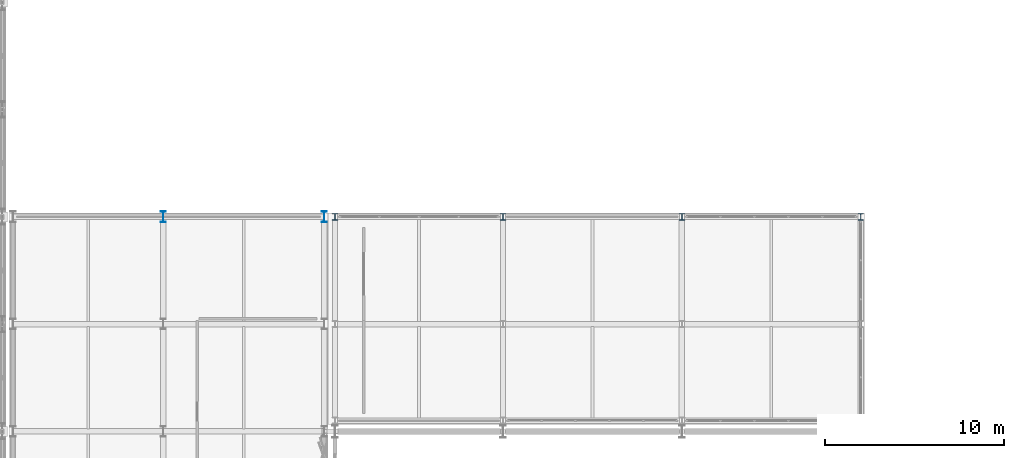
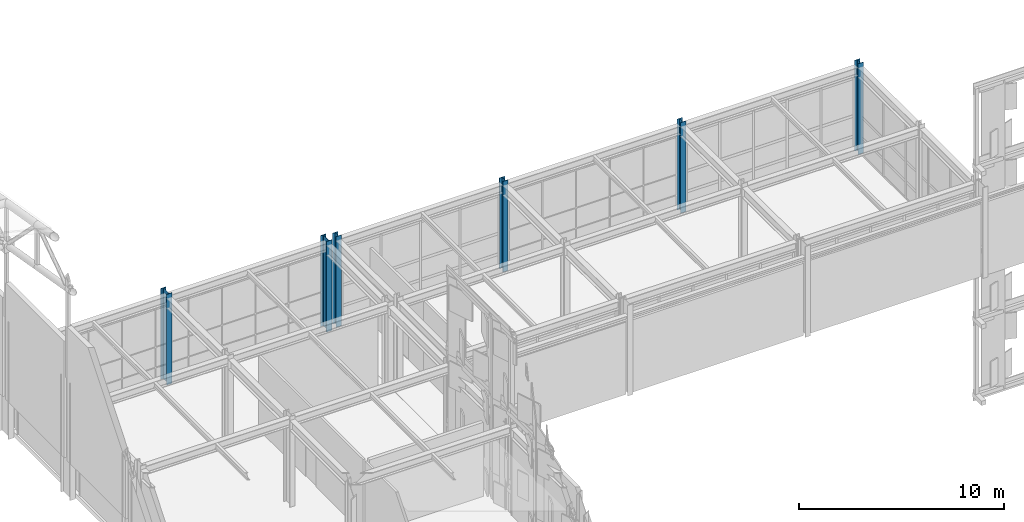
# One storey, part 22 of 239: 6 columns.
"""IFC4 building model written with IfcOpenShell, lengths in metres."""

from ifc_helpers import new_model, si_unit, direction, frame, origin, origin_2d, place, context, subcontext, project, spatial, i_section, extrude, material, material_profile, profile_set, type_object, element, save


model = new_model("IFC4")

# Units and contexts
model_context = context("Model", 3, precision=1e-05, world=origin(), true_north=direction((0.0, 1.0)))
body_context = subcontext(model_context, "Body", "Model", "MODEL_VIEW")
ifc_project = project(units=[si_unit("LENGTHUNIT", "METRE"), si_unit("AREAUNIT", "SQUARE_METRE"), si_unit("VOLUMEUNIT", "CUBIC_METRE"), si_unit("PLANEANGLEUNIT", "RADIAN"), si_unit("MASSUNIT", "GRAM", prefix="KILO")], contexts=[model_context])

# Site, building, storey
site_placement = place(None, origin())
site = spatial("IfcSite", under=ifc_project, at=site_placement, CompositionType="ELEMENT")
building_placement = place(site_placement, origin())
building = spatial("IfcBuilding", under=site, at=building_placement, Name="Kaldris Quays Convention Centre", CompositionType="ELEMENT")
storey_placement = place(building_placement, frame((0.0, 0.0, 11.39990234375)))
storey = spatial("IfcBuildingStorey", under=building, at=storey_placement, Name="L02", CompositionType="ELEMENT", Elevation=11.39990234375)

# Columns
ifc_material = material(Name="Steel S355J2", Category="steel")
ifc_material_profile_1 = material_profile(ifc_material, i_section(OverallWidth=0.300048828125, OverallDepth=0.60009765625, WebThickness=0.015380859375, FlangeThickness=0.030029296875, FilletRadius=0.027099609375, at=origin_2d()), Name="HEB 600")
ifc_profile_set_1 = profile_set([ifc_material_profile_1], Name="Steel S355J2")
column_type_1 = type_object("IfcColumnType", Name="STRUCTURAL COLUMN CL06", PredefinedType="COLUMN", material=ifc_profile_set_1)
for number, where, z_axis, x_axis, name in (
    (1, (155.0, 116.0, 0.0), (0.0, 0.0, 1.0), (1.0, 0.0, 0.0), "L02 V4 Column CL06 (155.00, 116.00)"),
    (2, (164.0, 116.0, 0.0), (0.0, 0.0, 1.0), (1.0, 0.0, 0.0), "L02 V4 Column CL06 (164.00, 116.00)"),
):
    element("IfcColumn", number, at=place(storey_placement, frame(where, z_axis=z_axis, x_axis=x_axis)), inside=storey, type_object=column_type_1, Name=name, PredefinedType="COLUMN", context=body_context, shape_type="SweptSolid", body=[
        extrude(i_section(OverallWidth=0.300048828125, OverallDepth=0.60009765625, WebThickness=0.015380859375, FlangeThickness=0.030029296875, FilletRadius=0.027099609375, at=origin_2d()), origin(), (0.0, 0.0, 1.0), 5.400146484375),
    ])
ifc_material_profile_2 = material_profile(ifc_material, i_section(OverallWidth=0.300048828125, OverallDepth=0.360107421875, WebThickness=0.012451171875, FlangeThickness=0.0224609375, FilletRadius=0.027099609375, at=origin_2d()), Name="HEB 360")
ifc_profile_set_2 = profile_set([ifc_material_profile_2], Name="Steel S355J2")
column_type_2 = type_object("IfcColumnType", Name="STRUCTURAL COLUMN CL10", PredefinedType="COLUMN", material=ifc_profile_set_2)
for number, where, z_axis, x_axis, name in (
    (3, (164.60009765625, 116.0, 0.0), (0.0, 0.0, 1.0), (1.0, 0.0, 0.0), "L02 V4 Column CL10 (164.60, 116.00)"),
    (4, (174.0, 116.0, 0.0), (0.0, 0.0, 1.0), (1.0, 0.0, 0.0), "L02 V4 Column CL10 (174.00, 116.00)"),
    (5, (184.0, 116.0, 0.0), (0.0, 0.0, 1.0), (1.0, 0.0, 0.0), "L02 V4 Column CL10 (184.00, 116.00)"),
    (6, (194.0, 116.0, 0.0), (0.0, 0.0, 1.0), (1.0, 0.0, 0.0), "L02 V4 Column CL10 (194.00, 116.00)"),
):
    element("IfcColumn", number, at=place(storey_placement, frame(where, z_axis=z_axis, x_axis=x_axis)), inside=storey, type_object=column_type_2, Name=name, PredefinedType="COLUMN", context=body_context, shape_type="SweptSolid", body=[
        extrude(i_section(OverallWidth=0.300048828125, OverallDepth=0.360107421875, WebThickness=0.012451171875, FlangeThickness=0.0224609375, FilletRadius=0.027099609375, at=origin_2d()), origin(), (0.0, 0.0, 1.0), 5.400146484375),
    ])

save(model, "model.ifc")
